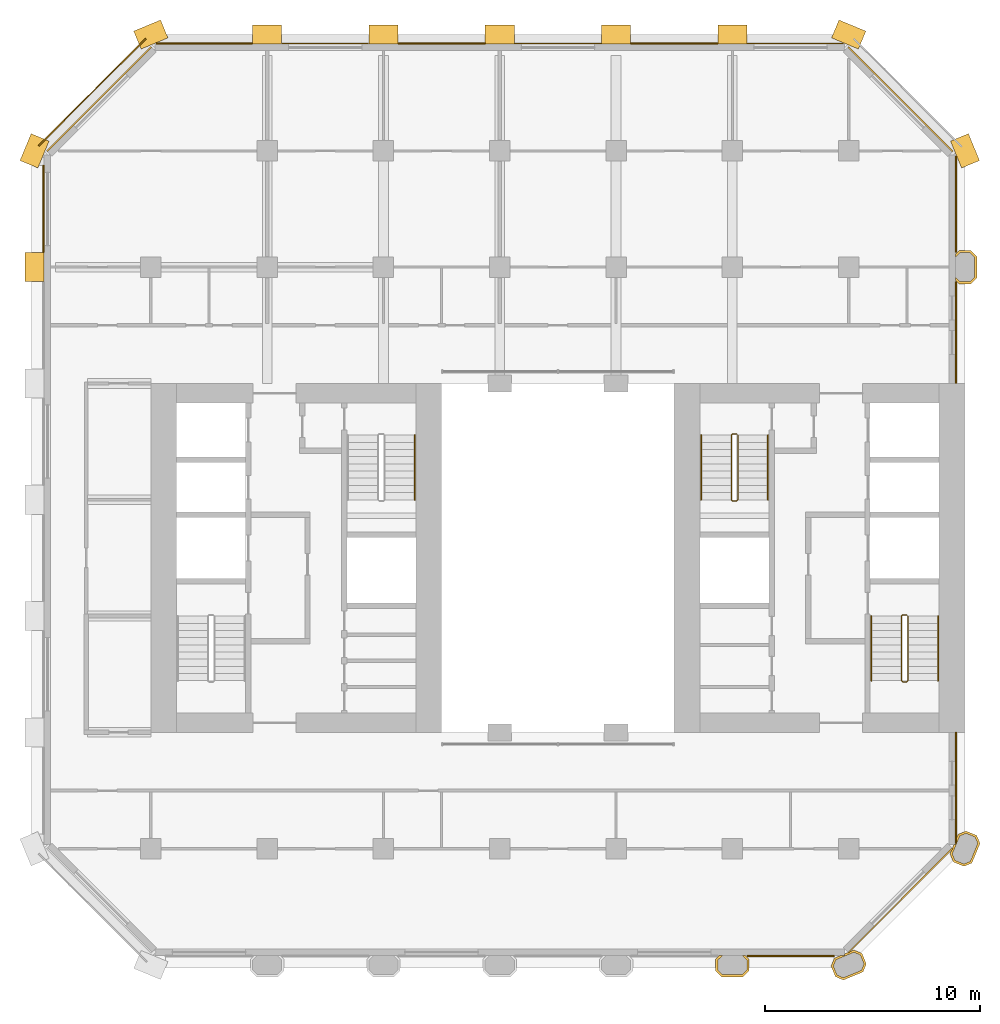
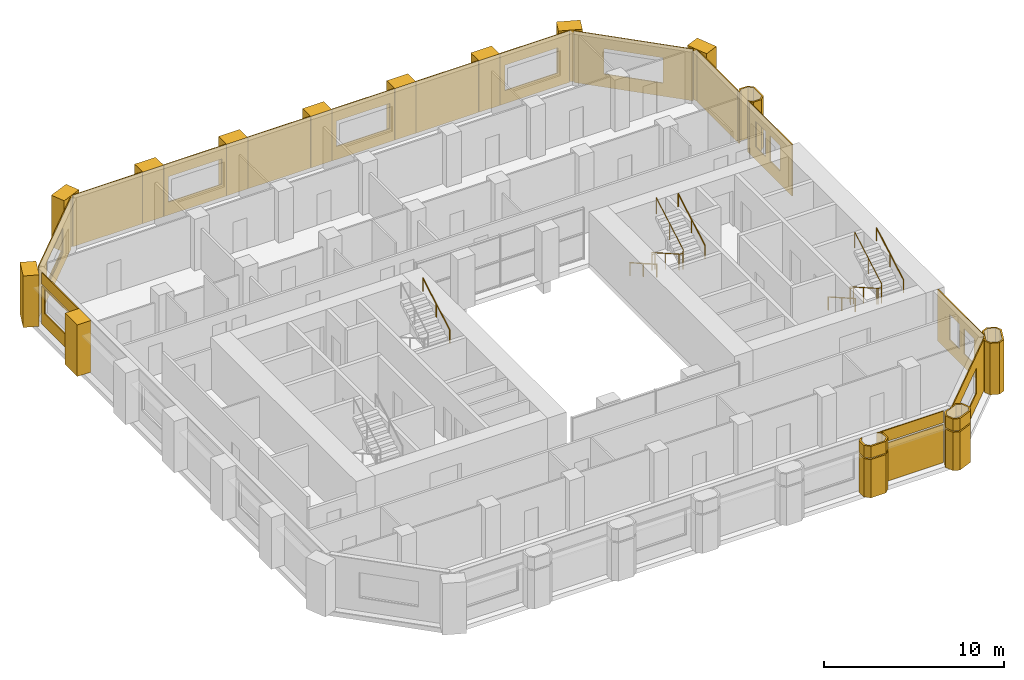
# One storey, part 12 of 13: 33 coverings, 7 railings.
"""IFC4 building model written with IfcOpenShell, lengths in metres."""

from ifc_helpers import new_model, si_unit, direction, frame, frame_2d, origin, origin_2d, place, context, subcontext, project, spatial, polyline, rectangle, circle, outline, extrude, material, layer, layer_set, type_object, element, save


model = new_model("IFC4")

# Units and contexts
model_context = context("Model", 3, precision=1e-05, world=origin(), true_north=direction((0.0, 1.0)))
body_context = subcontext(model_context, "Body", "Model", "MODEL_VIEW")
ifc_project = project(units=[si_unit("LENGTHUNIT", "METRE"), si_unit("AREAUNIT", "SQUARE_METRE"), si_unit("VOLUMEUNIT", "CUBIC_METRE"), si_unit("PLANEANGLEUNIT", "RADIAN"), si_unit("MASSUNIT", "GRAM", prefix="KILO")], contexts=[model_context])

# Site, building, storey
site_placement = place(None, origin())
site = spatial("IfcSite", under=ifc_project, at=site_placement, CompositionType="ELEMENT")
building_placement = place(site_placement, origin())
building = spatial("IfcBuilding", under=site, at=building_placement, Name="Tabaq Tower and Sports Hall", CompositionType="ELEMENT")
storey_placement = place(building_placement, frame((0.0, 0.0, 103.0)))
storey = spatial("IfcBuildingStorey", under=building, at=storey_placement, Name="L24", CompositionType="ELEMENT", Elevation=103.0)

# Coverings
ifc_material_1 = material(Name="Precast concrete C60/75", Category="concrete")
ifc_layer_1 = layer(ifc_material_1, 0.10009765625)
ifc_layer_set_1 = layer_set([ifc_layer_1], Name="Column cladding 100")
covering_type_1 = type_object("IfcCoveringType", Name="Column cladding 100", PredefinedType="CLADDING", material=ifc_layer_set_1)
covering_1_placement = place(storey_placement, origin())
element("IfcCovering", 1, at=covering_1_placement, inside=storey, type_object=covering_type_1, Name="Column cladding L24 PC-7B-O3", PredefinedType="CLADDING", context=body_context, shape_type="SweptSolid", body=[
    extrude(outline(polyline([(31.625244140625, 5.666259765625), (31.80859375, 5.849609375), (31.94921875, 5.849609375), (31.724609375, 5.625244140625), (31.724609375, 5.1748046875), (31.949951171875, 4.94970703125), (32.85009765625, 4.94970703125), (33.0751953125, 5.1748046875), (33.0751953125, 5.625244140625), (32.850830078125, 5.849609375), (32.9912109375, 5.849609375), (33.1748046875, 5.666259765625), (33.1748046875, 5.1337890625), (32.891357421875, 4.850341796875), (31.90869140625, 4.850341796875), (31.625244140625, 5.1337890625), (31.625244140625, 5.666259765625)])), origin(), (0.0, 0.0, 1.0), 2.60009765625),
])
covering_2_placement = place(storey_placement, frame((0.0, 0.0, 2.699951171875)))
element("IfcCovering", 2, at=covering_2_placement, inside=storey, type_object=covering_type_1, Name="Column cladding L24 PC-7B-O3 2", PredefinedType="CLADDING", context=body_context, shape_type="SweptSolid", body=[
    extrude(outline(polyline([(31.625244140625, 5.666259765625), (31.80859375, 5.849609375), (31.94921875, 5.849609375), (31.724609375, 5.625244140625), (31.724609375, 5.1748046875), (31.949951171875, 4.94970703125), (32.85009765625, 4.94970703125), (33.0751953125, 5.1748046875), (33.0751953125, 5.625244140625), (32.850830078125, 5.849609375), (32.9912109375, 5.849609375), (33.1748046875, 5.666259765625), (33.1748046875, 5.1337890625), (32.891357421875, 4.850341796875), (31.90869140625, 4.850341796875), (31.625244140625, 5.1337890625), (31.625244140625, 5.666259765625)])), origin(), (0.0, 0.0, 1.0), 0.800048828125),
])
covering_3_placement = place(storey_placement, origin())
element("IfcCovering", 3, at=covering_3_placement, inside=storey, type_object=covering_type_1, Name="Column cladding L24 PC-8B-O3", PredefinedType="CLADDING", context=body_context, shape_type="SweptSolid", body=[
    extrude(outline(polyline([(36.982421875, 5.349609375), (37.1357421875, 5.7197265625), (37.44921875, 5.849609375), (37.614013671875, 5.849609375), (37.614013671875, 5.91796875), (37.767578125, 5.9814453125), (37.799072265625, 5.9501953125), (37.875, 6.026123046875), (38.04345703125, 6.095947265625), (38.413818359375, 5.9423828125), (38.61767578125, 5.450439453125), (38.46435546875, 5.080078125), (37.556396484375, 4.7041015625), (37.186279296875, 4.857421875), (36.982421875, 5.349609375)]), holes=[polyline([(38.510009765625, 5.450439453125), (38.337646484375, 5.866455078125), (38.04345703125, 5.98828125), (37.2119140625, 5.643798828125), (37.08984375, 5.349609375), (37.26220703125, 4.93359375), (37.556396484375, 4.811767578125), (38.38818359375, 5.15625), (38.510009765625, 5.450439453125)])]), origin(), (0.0, 0.0, 1.0), 2.60009765625),
])
covering_4_placement = place(storey_placement, frame((0.0, 0.0, 2.699951171875)))
element("IfcCovering", 4, at=covering_4_placement, inside=storey, type_object=covering_type_1, Name="Column cladding L24 PC-8B-O3 2", PredefinedType="CLADDING", context=body_context, shape_type="SweptSolid", body=[
    extrude(outline(polyline([(36.982421875, 5.349609375), (37.1357421875, 5.7197265625), (37.44921875, 5.849609375), (37.614013671875, 5.849609375), (37.614013671875, 5.91796875), (37.767578125, 5.9814453125), (37.799072265625, 5.9501953125), (37.875, 6.026123046875), (38.04345703125, 6.095947265625), (38.413818359375, 5.9423828125), (38.61767578125, 5.450439453125), (38.46435546875, 5.080078125), (37.556396484375, 4.7041015625), (37.186279296875, 4.857421875), (36.982421875, 5.349609375)]), holes=[polyline([(38.510009765625, 5.450439453125), (38.337646484375, 5.866455078125), (38.04345703125, 5.98828125), (37.2119140625, 5.643798828125), (37.08984375, 5.349609375), (37.26220703125, 4.93359375), (37.556396484375, 4.811767578125), (38.38818359375, 5.15625), (38.510009765625, 5.450439453125)])]), origin(), (0.0, 0.0, 1.0), 0.800048828125),
])
covering_5_placement = place(storey_placement, origin())
element("IfcCovering", 5, at=covering_5_placement, inside=storey, type_object=covering_type_1, Name="Column cladding L24 PC-9C-O3", PredefinedType="CLADDING", context=body_context, shape_type="SweptSolid", body=[
    extrude(outline(polyline([(42.657470703125, 10.186279296875), (42.504150390625, 10.556396484375), (42.573974609375, 10.72509765625), (42.64990234375, 10.801025390625), (42.618408203125, 10.83251953125), (42.68212890625, 10.986083984375), (42.750244140625, 10.986083984375), (42.750244140625, 11.04296875), (42.810302734375, 11.04296875), (42.810302734375, 11.295654296875), (42.880126953125, 11.46435546875), (43.25048828125, 11.61767578125), (43.742431640625, 11.413818359375), (43.895751953125, 11.04345703125), (43.519775390625, 10.1357421875), (43.149658203125, 9.982421875), (42.657470703125, 10.186279296875)]), holes=[polyline([(43.66650390625, 11.337646484375), (43.25048828125, 11.510009765625), (42.956298828125, 11.38818359375), (42.61181640625, 10.556396484375), (42.733642578125, 10.26220703125), (43.149658203125, 10.08984375), (43.44384765625, 10.2119140625), (43.788330078125, 11.04345703125), (43.66650390625, 11.337646484375)])]), origin(), (0.0, 0.0, 1.0), 3.5),
])
covering_6_placement = place(storey_placement, origin())
element("IfcCovering", 6, at=covering_6_placement, inside=storey, type_object=covering_type_1, Name="Column cladding L24 PC-9H-O3", PredefinedType="CLADDING", context=body_context, shape_type="SweptSolid", body=[
    extrude(outline(polyline([(42.93359375, 37.025390625), (42.750244140625, 37.208740234375), (42.750244140625, 37.349365234375), (42.974853515625, 37.124755859375), (43.425048828125, 37.124755859375), (43.650390625, 37.349853515625), (43.650390625, 38.250244140625), (43.425048828125, 38.475341796875), (42.974853515625, 38.475341796875), (42.750244140625, 38.250732421875), (42.750244140625, 38.391357421875), (42.93359375, 38.57470703125), (43.46630859375, 38.57470703125), (43.749755859375, 38.291259765625), (43.749755859375, 37.30859375), (43.46630859375, 37.025390625), (42.93359375, 37.025390625)])), origin(), (0.0, 0.0, 1.0), 3.5),
])
ifc_material_2 = material(Name="Precast concrete C60/75", Category="concrete")
ifc_layer_2 = layer(ifc_material_2, 0.06005859375)
ifc_layer_set_2 = layer_set([ifc_layer_2], Name="Edge beam cladding 60")
covering_type_2 = type_object("IfcCoveringType", Name="Edge beam cladding 60", PredefinedType="CLADDING", material=ifc_layer_set_2)
covering_7_placement = place(storey_placement, frame((5.167724609375, 48.41015625, -0.300048828125), z_axis=(0.0, 0.0, 1.0), x_axis=(-0.707106781187, -0.707106781187, 0.0)))
element("IfcCovering", 7, at=covering_7_placement, inside=storey, type_object=covering_type_2, Name="Edge beam cladding L24 3", PredefinedType="CLADDING", context=body_context, shape_type="SweptSolid", body=[
    extrude(rectangle(XDim=7.03955078125, YDim=0.06005859375, at=frame_2d((3.519775390625, 0.0))), origin(), (0.0, 0.0, 1.0), 0.300048828125),
])
ifc_material_3 = material(Name="White precast concrete C60/75", Category="concrete")
covering_type_3 = type_object("IfcCoveringType", Name="Pier cladding hung 1350x900", PredefinedType="CLADDING", material=ifc_material_3)
for number, where, z_axis, x_axis, name in (
    (8, (0.0, 38.47509765625, 0.0), (0.0, 0.0, 1.0), (0.0, -1.0, 0.0), "Hung pier cladding 0/7"),
    (9, (0.25830078125, 43.82373046875, 0.0), (0.0, 0.0, 1.0), (-0.382649923473, -0.923893411637, 0.0), "Hung pier cladding 0/8"),
    (10, (6.023681640625, 48.8583984375, 0.0), (0.0, 0.0, 1.0), (-0.923893411637, -0.382649923473, 0.0), "Hung pier cladding 1/9"),
    (11, (11.47509765625, 48.60009765625, 0.0), (0.0, 0.0, 1.0), (-1.0, 0.0, 0.0), "Hung pier cladding 2/9"),
    (12, (16.875, 48.60009765625, 0.0), (0.0, 0.0, 1.0), (-1.0, 0.0, 0.0), "Hung pier cladding 3/9"),
):
    element("IfcCovering", number, at=place(storey_placement, frame(where, z_axis=z_axis, x_axis=x_axis)), inside=storey, type_object=covering_type_3, Name=name, PredefinedType="CLADDING", context=body_context, shape_type="SweptSolid", body=[
        extrude(rectangle(XDim=1.35009765625, YDim=0.89990234375, at=frame_2d((0.675048828125, 0.0))), origin(), (0.0, 0.0, 1.0), 3.5),
    ])
covering_8_placement = place(storey_placement, frame((22.27490234375, 48.60009765625, 0.0), z_axis=(0.0, 0.0, 1.0), x_axis=(-1.0, 0.0, 0.0)))
element("IfcCovering", 13, at=covering_8_placement, inside=storey, type_object=covering_type_3, Name="Hung pier cladding 4/9", PredefinedType="CLADDING", context=body_context, shape_type="SweptSolid", body=[
    extrude(rectangle(XDim=1.349853515625, YDim=0.89990234375, at=frame_2d((0.6748046875, 0.0))), origin(), (0.0, 0.0, 1.0), 3.5),
])
covering_9_placement = place(storey_placement, frame((27.675048828125, 48.60009765625, 0.0), z_axis=(0.0, 0.0, 1.0), x_axis=(-1.0, 0.0, 0.0)))
element("IfcCovering", 14, at=covering_9_placement, inside=storey, type_object=covering_type_3, Name="Hung pier cladding 5/9", PredefinedType="CLADDING", context=body_context, shape_type="SweptSolid", body=[
    extrude(rectangle(XDim=1.35009765625, YDim=0.89990234375, at=frame_2d((0.675048828125, 0.0))), origin(), (0.0, 0.0, 1.0), 3.5),
])
covering_10_placement = place(storey_placement, frame((33.074951171875, 48.60009765625, 0.0), z_axis=(0.0, 0.0, 1.0), x_axis=(-1.0, 0.0, 0.0)))
element("IfcCovering", 15, at=covering_10_placement, inside=storey, type_object=covering_type_3, Name="Hung pier cladding 6/9", PredefinedType="CLADDING", context=body_context, shape_type="SweptSolid", body=[
    extrude(rectangle(XDim=1.349853515625, YDim=0.89990234375, at=frame_2d((0.6748046875, 0.0))), origin(), (0.0, 0.0, 1.0), 3.5),
])
for number, where, z_axis, x_axis, name in (
    (16, (38.423583984375, 48.341796875, 0.0), (0.0, 0.0, 1.0), (-0.923893411637, 0.382649923473, 0.0), "Hung pier cladding 7/9"),
    (17, (43.458251953125, 42.576416015625, 0.0), (0.0, 0.0, 1.0), (-0.382649923473, 0.923893411637, 0.0), "Hung pier cladding 8/8"),
):
    element("IfcCovering", number, at=place(storey_placement, frame(where, z_axis=z_axis, x_axis=x_axis)), inside=storey, type_object=covering_type_3, Name=name, PredefinedType="CLADDING", context=body_context, shape_type="SweptSolid", body=[
        extrude(rectangle(XDim=1.35009765625, YDim=0.89990234375, at=frame_2d((0.675048828125, 0.0))), origin(), (0.0, 0.0, 1.0), 3.5),
    ])

# Railings
ifc_material_4 = material(Name="Stainless steel", Category="steel")
railing_type_1 = type_object("IfcRailingType", Name="Stair guard", PredefinedType="GUARDRAIL", material=ifc_material_4)
railing_1_placement = place(storey_placement, frame((40.5, 21.64990234375, 0.0)))
element("IfcRailing", 18, at=railing_1_placement, inside=storey, type_object=railing_type_1, Name="L24 ST3 stair guard 1", PredefinedType="GUARDRAIL", context=body_context, shape_type="SweptSolid", body=[
    extrude(circle(Radius=0.02392578125, at=origin_2d()), frame((0.0, 0.0, 1.076171875), z_axis=(-1.0, 0.0, 0.0), x_axis=(0.0, -1.0, 0.0)), (0.0, 0.0, 1.0), 0.199951171875),
    extrude(circle(Radius=0.02392578125, at=origin_2d()), frame((-0.199951171875, 0.0, 1.076171875), z_axis=(-0.246983470365, -0.245778672949, 0.937332389972), x_axis=(0.705375805398, -0.708833529934, 0.0)), (0.0, 0.0, 1.0), 0.20263671875),
    extrude(circle(Radius=0.02392578125, at=origin_2d()), frame((-0.25, -0.0498046875, 1.26611328125), z_axis=(0.0, -0.868782136927, 0.495194505781), x_axis=(1.0, 0.0, 0.0)), (0.0, 0.0, 1.0), 3.453125),
    extrude(circle(Radius=0.02392578125, at=origin_2d()), frame((-0.25, -3.0498046875, 2.97607421875), z_axis=(0.707106781187, -0.707106781187, 0.0), x_axis=(0.707106781187, 0.707106781187, 0.0)), (0.0, 0.0, 1.0), 0.07080078125),
    extrude(circle(Radius=0.02392578125, at=origin_2d()), frame((-0.199951171875, -3.099853515625, 2.97607421875), z_axis=(1.0, 0.0, 0.0), x_axis=(0.0, 1.0, 0.0)), (0.0, 0.0, 1.0), 0.199951171875),
    extrude(circle(Radius=0.02392578125, at=origin_2d()), frame((0.0, -3.099853515625, 2.97607421875), z_axis=(0.246631811833, 0.246631811833, 0.937200884967), x_axis=(-0.707106781187, 0.707106781187, 0.0)), (0.0, 0.0, 1.0), 0.202880859375),
    extrude(circle(Radius=0.02392578125, at=origin_2d()), frame((0.050048828125, -3.0498046875, 3.166015625), z_axis=(0.0, 0.868782136927, 0.495194505781), x_axis=(-1.0, 0.0, 0.0)), (0.0, 0.0, 1.0), 3.453125),
    extrude(circle(Radius=0.02099609375, at=origin_2d()), origin(), (0.0, 0.0, 1.0), 1.052001953125),
    extrude(circle(Radius=0.02099609375, at=origin_2d()), frame((-0.199951171875, 0.0, 0.0)), (0.0, 0.0, 1.0), 1.052001953125),
    extrude(circle(Radius=0.02099609375, at=origin_2d()), frame((-0.25, -0.0498046875, 0.18994140625)), (0.0, 0.0, 1.0), 1.052001953125),
    extrude(circle(Radius=0.02099609375, at=origin_2d()), frame((-0.25, -1.5498046875, 1.044921875)), (0.0, 0.0, 1.0), 1.052001953125),
    extrude(circle(Radius=0.02099609375, at=origin_2d()), frame((-0.25, -3.0498046875, 1.89990234375)), (0.0, 0.0, 1.0), 1.052001953125),
    extrude(circle(Radius=0.02099609375, at=origin_2d()), frame((-0.199951171875, -3.099853515625, 1.89990234375)), (0.0, 0.0, 1.0), 1.052001953125),
    extrude(circle(Radius=0.02099609375, at=origin_2d()), frame((0.0, -3.099853515625, 1.89990234375)), (0.0, 0.0, 1.0), 1.052001953125),
    extrude(circle(Radius=0.02099609375, at=origin_2d()), frame((0.050048828125, -3.0498046875, 2.090087890625)), (0.0, 0.0, 1.0), 1.052001953125),
    extrude(circle(Radius=0.02099609375, at=origin_2d()), frame((0.050048828125, -1.5498046875, 2.945068359375)), (0.0, 0.0, 1.0), 1.052001953125),
    extrude(circle(Radius=0.02099609375, at=origin_2d()), frame((0.050048828125, -0.0498046875, 3.800048828125)), (0.0, 0.0, 1.0), 1.052001953125),
])
railing_2_placement = place(storey_placement, frame((32.60009765625, 30.050048828125, 0.0)))
element("IfcRailing", 19, at=railing_2_placement, inside=storey, type_object=railing_type_1, Name="L24 ST4 stair guard 1", PredefinedType="GUARDRAIL", context=body_context, shape_type="SweptSolid", body=[
    extrude(circle(Radius=0.02392578125, at=origin_2d()), frame((0.0, 0.0, 1.076171875), z_axis=(-1.0, 0.0, 0.0), x_axis=(0.0, -1.0, 0.0)), (0.0, 0.0, 1.0), 0.2001953125),
    extrude(circle(Radius=0.02392578125, at=origin_2d()), frame((-0.2001953125, 0.0, 1.076171875), z_axis=(-0.245778672949, -0.246983470365, 0.937332389972), x_axis=(0.708833529934, -0.705375805398, 0.0)), (0.0, 0.0, 1.0), 0.20263671875),
    extrude(circle(Radius=0.02392578125, at=origin_2d()), frame((-0.25, -0.050048828125, 1.26611328125), z_axis=(0.0, -0.868782136927, 0.495194505781), x_axis=(1.0, 0.0, 0.0)), (0.0, 0.0, 1.0), 3.453125),
    extrude(circle(Radius=0.02392578125, at=origin_2d()), frame((-0.25, -3.050048828125, 2.97607421875), z_axis=(0.705375805398, -0.708833529934, 0.0), x_axis=(0.708833529934, 0.705375805398, 0.0)), (0.0, 0.0, 1.0), 0.070556640625),
    extrude(circle(Radius=0.02392578125, at=origin_2d()), frame((-0.2001953125, -3.10009765625, 2.97607421875), z_axis=(1.0, 0.0, 0.0), x_axis=(0.0, 1.0, 0.0)), (0.0, 0.0, 1.0), 0.2001953125),
    extrude(circle(Radius=0.02392578125, at=origin_2d()), frame((0.0, -3.10009765625, 2.97607421875), z_axis=(0.245501407671, 0.246704845944, 0.937478414588), x_axis=(-0.708833529934, 0.705375805398, 0.0)), (0.0, 0.0, 1.0), 0.202880859375),
    extrude(circle(Radius=0.02392578125, at=origin_2d()), frame((0.0498046875, -3.050048828125, 3.166015625), z_axis=(0.0, 0.868782136927, 0.495194505781), x_axis=(-1.0, 0.0, 0.0)), (0.0, 0.0, 1.0), 3.453125),
    extrude(circle(Radius=0.02099609375, at=origin_2d()), origin(), (0.0, 0.0, 1.0), 1.052001953125),
    extrude(circle(Radius=0.02099609375, at=origin_2d()), frame((-0.2001953125, 0.0, 0.0)), (0.0, 0.0, 1.0), 1.052001953125),
    extrude(circle(Radius=0.02099609375, at=origin_2d()), frame((-0.25, -0.050048828125, 0.18994140625)), (0.0, 0.0, 1.0), 1.052001953125),
    extrude(circle(Radius=0.02099609375, at=origin_2d()), frame((-0.25, -1.550048828125, 1.044921875)), (0.0, 0.0, 1.0), 1.052001953125),
    extrude(circle(Radius=0.02099609375, at=origin_2d()), frame((-0.25, -3.050048828125, 1.89990234375)), (0.0, 0.0, 1.0), 1.052001953125),
    extrude(circle(Radius=0.02099609375, at=origin_2d()), frame((-0.2001953125, -3.10009765625, 1.89990234375)), (0.0, 0.0, 1.0), 1.052001953125),
    extrude(circle(Radius=0.02099609375, at=origin_2d()), frame((0.0, -3.10009765625, 1.89990234375)), (0.0, 0.0, 1.0), 1.052001953125),
    extrude(circle(Radius=0.02099609375, at=origin_2d()), frame((0.0498046875, -3.050048828125, 2.090087890625)), (0.0, 0.0, 1.0), 1.052001953125),
    extrude(circle(Radius=0.02099609375, at=origin_2d()), frame((0.0498046875, -1.550048828125, 2.945068359375)), (0.0, 0.0, 1.0), 1.052001953125),
    extrude(circle(Radius=0.02099609375, at=origin_2d()), frame((0.0498046875, -0.050048828125, 3.800048828125)), (0.0, 0.0, 1.0), 1.052001953125),
])
ifc_material_5 = material(Name="Stainless steel", Category="steel")
railing_type_2 = type_object("IfcRailingType", Name="Stair handrail", PredefinedType="HANDRAIL", material=ifc_material_5)
railing_3_placement = place(storey_placement, frame((17.64990234375, 27.0, 2.090087890625)))
element("IfcRailing", 20, at=railing_3_placement, inside=storey, type_object=railing_type_2, Name="L24 ST2 stair handrail 2", PredefinedType="HANDRAIL", context=body_context, shape_type="SweptSolid", body=[
    extrude(circle(Radius=0.02392578125, at=origin_2d()), frame((0.0, 0.0, 0.8759765625), z_axis=(0.0, 0.868782136927, 0.495194505781), x_axis=(-1.0, 0.0, 0.0)), (0.0, 0.0, 1.0), 3.453125),
    extrude(circle(Radius=0.02099609375, at=origin_2d()), origin(), (0.0, 0.0, 1.0), 0.851806640625),
    extrude(circle(Radius=0.02099609375, at=origin_2d()), frame((0.0, 1.5, 0.85498046875)), (0.0, 0.0, 1.0), 0.851806640625),
    extrude(circle(Radius=0.02099609375, at=origin_2d()), frame((0.0, 3.0, 1.7099609375)), (0.0, 0.0, 1.0), 0.851806640625),
])
railing_4_placement = place(storey_placement, frame((38.85009765625, 21.60009765625, 0.18994140625)))
element("IfcRailing", 21, at=railing_4_placement, inside=storey, type_object=railing_type_2, Name="L24 ST3 stair handrail 1", PredefinedType="HANDRAIL", context=body_context, shape_type="SweptSolid", body=[
    extrude(circle(Radius=0.02392578125, at=origin_2d()), frame((0.0, 0.0, 0.8759765625), z_axis=(0.0, -0.868782136927, 0.495194505781), x_axis=(1.0, 0.0, 0.0)), (0.0, 0.0, 1.0), 3.453125),
    extrude(circle(Radius=0.02099609375, at=origin_2d()), origin(), (0.0, 0.0, 1.0), 0.851806640625),
    extrude(circle(Radius=0.02099609375, at=origin_2d()), frame((0.0, -1.5, 0.85498046875)), (0.0, 0.0, 1.0), 0.851806640625),
    extrude(circle(Radius=0.02099609375, at=origin_2d()), frame((0.0, -3.0, 1.7099609375)), (0.0, 0.0, 1.0), 0.851806640625),
])
railing_5_placement = place(storey_placement, frame((41.949951171875, 18.60009765625, 2.090087890625)))
element("IfcRailing", 22, at=railing_5_placement, inside=storey, type_object=railing_type_2, Name="L24 ST3 stair handrail 2", PredefinedType="HANDRAIL", context=body_context, shape_type="SweptSolid", body=[
    extrude(circle(Radius=0.02392578125, at=origin_2d()), frame((0.0, 0.0, 0.8759765625), z_axis=(0.0, 0.868782136927, 0.495194505781), x_axis=(-1.0, 0.0, 0.0)), (0.0, 0.0, 1.0), 3.453125),
    extrude(circle(Radius=0.02099609375, at=origin_2d()), origin(), (0.0, 0.0, 1.0), 0.851806640625),
    extrude(circle(Radius=0.02099609375, at=origin_2d()), frame((0.0, 1.5, 0.85498046875)), (0.0, 0.0, 1.0), 0.851806640625),
    extrude(circle(Radius=0.02099609375, at=origin_2d()), frame((0.0, 3.0, 1.7099609375)), (0.0, 0.0, 1.0), 0.851806640625),
])
railing_6_placement = place(storey_placement, frame((30.949951171875, 30.0, 0.18994140625)))
element("IfcRailing", 23, at=railing_6_placement, inside=storey, type_object=railing_type_2, Name="L24 ST4 stair handrail 1", PredefinedType="HANDRAIL", context=body_context, shape_type="SweptSolid", body=[
    extrude(circle(Radius=0.02392578125, at=origin_2d()), frame((0.0, 0.0, 0.8759765625), z_axis=(0.0, -0.868782136927, 0.495194505781), x_axis=(1.0, 0.0, 0.0)), (0.0, 0.0, 1.0), 3.453125),
    extrude(circle(Radius=0.02099609375, at=origin_2d()), origin(), (0.0, 0.0, 1.0), 0.851806640625),
    extrude(circle(Radius=0.02099609375, at=origin_2d()), frame((0.0, -1.5, 0.85498046875)), (0.0, 0.0, 1.0), 0.851806640625),
    extrude(circle(Radius=0.02099609375, at=origin_2d()), frame((0.0, -3.0, 1.7099609375)), (0.0, 0.0, 1.0), 0.851806640625),
])
railing_7_placement = place(storey_placement, frame((34.050048828125, 27.0, 2.090087890625)))
element("IfcRailing", 24, at=railing_7_placement, inside=storey, type_object=railing_type_2, Name="L24 ST4 stair handrail 2", PredefinedType="HANDRAIL", context=body_context, shape_type="SweptSolid", body=[
    extrude(circle(Radius=0.02392578125, at=origin_2d()), frame((0.0, 0.0, 0.8759765625), z_axis=(0.0, 0.868782136927, 0.495194505781), x_axis=(-1.0, 0.0, 0.0)), (0.0, 0.0, 1.0), 3.453125),
    extrude(circle(Radius=0.02099609375, at=origin_2d()), origin(), (0.0, 0.0, 1.0), 0.851806640625),
    extrude(circle(Radius=0.02099609375, at=origin_2d()), frame((0.0, 1.5, 0.85498046875)), (0.0, 0.0, 1.0), 0.851806640625),
    extrude(circle(Radius=0.02099609375, at=origin_2d()), frame((0.0, 3.0, 1.7099609375)), (0.0, 0.0, 1.0), 0.851806640625),
])

# Coverings
ifc_material_6 = material(Name="Precast concrete C60/75", Category="concrete")
ifc_layer_3 = layer(ifc_material_6, 0.06005859375)
ifc_layer_set_3 = layer_set([ifc_layer_3], Name="White precast cladding panel 60 C60/75")
covering_type_4 = type_object("IfcCoveringType", Name="White precast cladding panel 60 C60/75", PredefinedType="CLADDING", material=ifc_layer_set_3)
covering_11_placement = place(storey_placement, frame((33.0849609375, 5.820068359375, 0.0), z_axis=(0.0, 0.0, 1.0), x_axis=(1.0, 0.0, 0.0)))
element("IfcCovering", 25, at=covering_11_placement, inside=storey, type_object=covering_type_4, Name="White precast cladding panel L24 wall00 11", PredefinedType="CLADDING", context=body_context, shape_type="SweptSolid", body=[
    extrude(rectangle(XDim=4.050048828125, YDim=0.06005859375, at=frame_2d((2.02490234375, 0.0))), origin(), (0.0, 0.0, 1.0), 2.590087890625),
])
covering_12_placement = place(storey_placement, frame((33.0849609375, 5.820068359375, 2.7099609375), z_axis=(0.0, 0.0, 1.0), x_axis=(1.0, 0.0, 0.0)))
element("IfcCovering", 26, at=covering_12_placement, inside=storey, type_object=covering_type_4, Name="White precast cladding panel L24 wall00 12", PredefinedType="CLADDING", context=body_context, shape_type="SweptSolid", body=[
    extrude(rectangle(XDim=4.050048828125, YDim=0.06005859375, at=frame_2d((2.02490234375, 0.0))), origin(), (0.0, 0.0, 1.0), 0.7900390625),
])
covering_13_placement = place(storey_placement, frame((37.77783203125, 5.9716796875, 0.0), z_axis=(0.0, 0.0, 1.0), x_axis=(0.707088985397, 0.707124576528, 0.0)))
element("IfcCovering", 27, at=covering_13_placement, inside=storey, type_object=covering_type_4, Name="White precast cladding panel L24 wall01", PredefinedType="CLADDING", context=body_context, shape_type="SweptSolid", body=[
    extrude(outline(polyline([(0.0, 0.0), (6.859619140625, 0.0), (6.859619140625, 3.5), (0.0, 3.5), (0.0, 0.0)]), holes=[polyline([(1.7197265625, 0.889892578125), (1.7197265625, 2.610107421875), (5.139892578125, 2.610107421875), (5.139892578125, 0.889892578125), (1.7197265625, 0.889892578125)])]), frame((0.0, 0.030029296875, 0.0), z_axis=(0.0, -1.0, 0.0), x_axis=(1.0, 0.0, 0.0)), (0.0, 0.0, 1.0), 0.06005859375),
])
covering_14_placement = place(storey_placement, frame((42.780029296875, 11.043212890625, 0.0), z_axis=(0.0, 0.0, 1.0), x_axis=(0.0, 1.0, 0.0)))
element("IfcCovering", 28, at=covering_14_placement, inside=storey, type_object=covering_type_4, Name="White precast cladding panel L24 wall02", PredefinedType="CLADDING", context=body_context, shape_type="SweptSolid", body=[
    extrude(outline(polyline([(0.0, 0.0), (5.15673828125, 0.0), (5.15673828125, 3.5), (0.0, 3.5), (0.0, 0.0)]), holes=[polyline([(1.096923828125, 2.610107421875), (2.216796875, 2.610107421875), (2.216796875, 0.889892578125), (1.096923828125, 0.889892578125), (1.096923828125, 2.610107421875)]), polyline([(2.69677734375, 2.610107421875), (3.81689453125, 2.610107421875), (3.81689453125, 0.889892578125), (2.69677734375, 0.889892578125), (2.69677734375, 2.610107421875)])]), frame((0.0, 0.030029296875, 0.0), z_axis=(0.0, -1.0, 0.0), x_axis=(1.0, 0.0, 0.0)), (0.0, 0.0, 1.0), 0.06005859375),
])
covering_15_placement = place(storey_placement, frame((42.780029296875, 32.39990234375, 0.0), z_axis=(0.0, 0.0, 1.0), x_axis=(0.0, 1.0, 0.0)))
element("IfcCovering", 29, at=covering_15_placement, inside=storey, type_object=covering_type_4, Name="White precast cladding panel L24 wall02-1", PredefinedType="CLADDING", context=body_context, shape_type="SweptSolid", body=[
    extrude(outline(polyline([(0.0, 0.0), (4.715087890625, 0.0), (4.715087890625, 3.5), (0.0, 3.5), (0.0, 0.0)]), holes=[polyline([(1.340087890625, 2.610107421875), (2.4599609375, 2.610107421875), (2.4599609375, 0.889892578125), (1.340087890625, 0.889892578125), (1.340087890625, 2.610107421875)]), polyline([(2.93994140625, 2.610107421875), (4.06005859375, 2.610107421875), (4.06005859375, 0.889892578125), (2.93994140625, 0.889892578125), (2.93994140625, 2.610107421875)])]), frame((0.0, 0.030029296875, 0.0), z_axis=(0.0, -1.0, 0.0), x_axis=(1.0, 0.0, 0.0)), (0.0, 0.0, 1.0), 0.06005859375),
])
covering_16_placement = place(storey_placement, frame((42.780029296875, 38.485107421875, 0.0), z_axis=(0.0, 0.0, 1.0), x_axis=(0.0, 1.0, 0.0)))
element("IfcCovering", 30, at=covering_16_placement, inside=storey, type_object=covering_type_4, Name="White precast cladding panel L24 wall02-1 2", PredefinedType="CLADDING", context=body_context, shape_type="SweptSolid", body=[
    extrude(rectangle(XDim=4.4716796875, YDim=0.06005859375, at=frame_2d((2.23583984375, 0.0))), origin(), (0.0, 0.0, 1.0), 3.5),
])
covering_17_placement = place(storey_placement, frame((42.628173828125, 43.177734375, 0.0), z_axis=(0.0, 0.0, 1.0), x_axis=(-0.707088985397, 0.707124576528, 0.0)))
element("IfcCovering", 31, at=covering_17_placement, inside=storey, type_object=covering_type_4, Name="White precast cladding panel L24 wall03", PredefinedType="CLADDING", context=body_context, shape_type="SweptSolid", body=[
    extrude(outline(polyline([(0.0, 0.0), (6.859619140625, 0.0), (6.859619140625, 3.5), (0.0, 3.5), (0.0, 0.0)]), holes=[polyline([(1.7197265625, 0.889892578125), (1.7197265625, 2.610107421875), (5.139892578125, 2.610107421875), (5.139892578125, 0.889892578125), (1.7197265625, 0.889892578125)])]), frame((0.0, 0.030029296875, 0.0), z_axis=(0.0, -1.0, 0.0), x_axis=(1.0, 0.0, 0.0)), (0.0, 0.0, 1.0), 0.06005859375),
])
covering_18_placement = place(storey_placement, frame((37.556884765625, 48.179931640625, 0.0), z_axis=(0.0, 0.0, 1.0), x_axis=(-1.0, 0.0, 0.0)))
element("IfcCovering", 32, at=covering_18_placement, inside=storey, type_object=covering_type_4, Name="White precast cladding panel L24 wall04", PredefinedType="CLADDING", context=body_context, shape_type="SweptSolid", body=[
    extrude(outline(polyline([(0.0, 0.0), (4.471923828125, 0.0), (4.471923828125, 3.5), (0.0, 3.5), (0.0, 0.0)]), holes=[polyline([(0.746826171875, 0.889892578125), (0.746826171875, 2.610107421875), (4.166748046875, 2.610107421875), (4.166748046875, 0.889892578125), (0.746826171875, 0.889892578125)])]), frame((0.0, 0.030029296875, 0.0), z_axis=(0.0, -1.0, 0.0), x_axis=(1.0, 0.0, 0.0)), (0.0, 0.0, 1.0), 0.06005859375),
])
covering_19_placement = place(storey_placement, frame((31.715087890625, 48.179931640625, 0.0), z_axis=(0.0, 0.0, 1.0), x_axis=(-1.0, 0.0, 0.0)))
element("IfcCovering", 33, at=covering_19_placement, inside=storey, type_object=covering_type_4, Name="White precast cladding panel L24 wall04 2", PredefinedType="CLADDING", context=body_context, shape_type="SweptSolid", body=[
    extrude(rectangle(XDim=4.030029296875, YDim=0.06005859375, at=frame_2d((2.01513671875, 0.0))), origin(), (0.0, 0.0, 1.0), 3.5),
])
covering_20_placement = place(storey_placement, frame((26.31494140625, 48.179931640625, 0.0), z_axis=(0.0, 0.0, 1.0), x_axis=(-1.0, 0.0, 0.0)))
element("IfcCovering", 34, at=covering_20_placement, inside=storey, type_object=covering_type_4, Name="White precast cladding panel L24 wall04 3", PredefinedType="CLADDING", context=body_context, shape_type="SweptSolid", body=[
    extrude(outline(polyline([(0.0, 0.0), (4.030029296875, 0.0), (4.030029296875, 3.5), (0.0, 3.5), (0.0, 0.0)]), holes=[polyline([(0.304931640625, 0.889892578125), (0.304931640625, 2.610107421875), (3.72509765625, 2.610107421875), (3.72509765625, 0.889892578125), (0.304931640625, 0.889892578125)])]), frame((0.0, 0.030029296875, 0.0), z_axis=(0.0, -1.0, 0.0), x_axis=(1.0, 0.0, 0.0)), (0.0, 0.0, 1.0), 0.06005859375),
])
covering_21_placement = place(storey_placement, frame((20.9150390625, 48.179931640625, 0.0), z_axis=(0.0, 0.0, 1.0), x_axis=(-1.0, 0.0, 0.0)))
element("IfcCovering", 35, at=covering_21_placement, inside=storey, type_object=covering_type_4, Name="White precast cladding panel L24 wall04 4", PredefinedType="CLADDING", context=body_context, shape_type="SweptSolid", body=[
    extrude(rectangle(XDim=4.030029296875, YDim=0.06005859375, at=frame_2d((2.01513671875, 0.0))), origin(), (0.0, 0.0, 1.0), 3.5),
])
covering_22_placement = place(storey_placement, frame((15.514892578125, 48.179931640625, 0.0), z_axis=(0.0, 0.0, 1.0), x_axis=(-1.0, 0.0, 0.0)))
element("IfcCovering", 36, at=covering_22_placement, inside=storey, type_object=covering_type_4, Name="White precast cladding panel L24 wall04 5", PredefinedType="CLADDING", context=body_context, shape_type="SweptSolid", body=[
    extrude(outline(polyline([(0.0, 0.0), (4.02978515625, 0.0), (4.02978515625, 3.5), (0.0, 3.5), (0.0, 0.0)]), holes=[polyline([(0.304931640625, 0.889892578125), (0.304931640625, 2.610107421875), (3.72509765625, 2.610107421875), (3.72509765625, 0.889892578125), (0.304931640625, 0.889892578125)])]), frame((0.0, 0.030029296875, 0.0), z_axis=(0.0, -1.0, 0.0), x_axis=(1.0, 0.0, 0.0)), (0.0, 0.0, 1.0), 0.06005859375),
])
covering_23_placement = place(storey_placement, frame((10.114990234375, 48.179931640625, 0.0), z_axis=(0.0, 0.0, 1.0), x_axis=(-1.0, 0.0, 0.0)))
element("IfcCovering", 37, at=covering_23_placement, inside=storey, type_object=covering_type_4, Name="White precast cladding panel L24 wall04 6", PredefinedType="CLADDING", context=body_context, shape_type="SweptSolid", body=[
    extrude(rectangle(XDim=4.471923828125, YDim=0.06005859375, at=frame_2d((2.23583984375, 0.0))), origin(), (0.0, 0.0, 1.0), 3.5),
])
covering_24_placement = place(storey_placement, frame((5.42236328125, 48.0283203125, 0.0), z_axis=(0.0, 0.0, 1.0), x_axis=(-0.707106781187, -0.707106781187, 0.0)))
element("IfcCovering", 38, at=covering_24_placement, inside=storey, type_object=covering_type_4, Name="White precast cladding panel L24 wall05", PredefinedType="CLADDING", context=body_context, shape_type="SweptSolid", body=[
    extrude(outline(polyline([(0.0, 0.0), (6.85986328125, 0.0), (6.85986328125, 3.5), (0.0, 3.5), (0.0, 0.0)]), holes=[polyline([(1.7197265625, 0.889892578125), (1.7197265625, 2.610107421875), (5.139892578125, 2.610107421875), (5.139892578125, 0.889892578125), (1.7197265625, 0.889892578125)])]), frame((0.0, 0.030029296875, 0.0), z_axis=(0.0, -1.0, 0.0), x_axis=(1.0, 0.0, 0.0)), (0.0, 0.0, 1.0), 0.06005859375),
])
covering_25_placement = place(storey_placement, frame((0.419921875, 42.534912109375, 0.0), z_axis=(0.0, 0.0, 1.0), x_axis=(0.0, -1.0, 0.0)))
element("IfcCovering", 39, at=covering_25_placement, inside=storey, type_object=covering_type_4, Name="White precast cladding panel L24 wall06", PredefinedType="CLADDING", context=body_context, shape_type="SweptSolid", body=[
    extrude(outline(polyline([(0.0, 0.0), (4.0498046875, 0.0), (4.0498046875, 2.590087890625), (0.0, 2.590087890625), (0.0, 0.0)]), holes=[polyline([(3.7451171875, 0.889892578125), (0.324951171875, 0.889892578125), (0.324951171875, 2.56005859375), (3.7451171875, 2.56005859375), (3.7451171875, 0.889892578125)])]), frame((0.0, 0.030029296875, 0.0), z_axis=(0.0, -1.0, 0.0), x_axis=(1.0, 0.0, 0.0)), (0.0, 0.0, 1.0), 0.06005859375),
])
covering_26_placement = place(storey_placement, frame((0.419921875, 42.534912109375, 2.7099609375), z_axis=(0.0, 0.0, 1.0), x_axis=(0.0, -1.0, 0.0)))
element("IfcCovering", 40, at=covering_26_placement, inside=storey, type_object=covering_type_4, Name="White precast cladding panel L24 wall06 2", PredefinedType="CLADDING", context=body_context, shape_type="SweptSolid", body=[
    extrude(rectangle(XDim=4.0498046875, YDim=0.06005859375, at=frame_2d((2.02490234375, 0.0))), origin(), (0.0, 0.0, 1.0), 0.7900390625),
])

save(model, "model.ifc")
